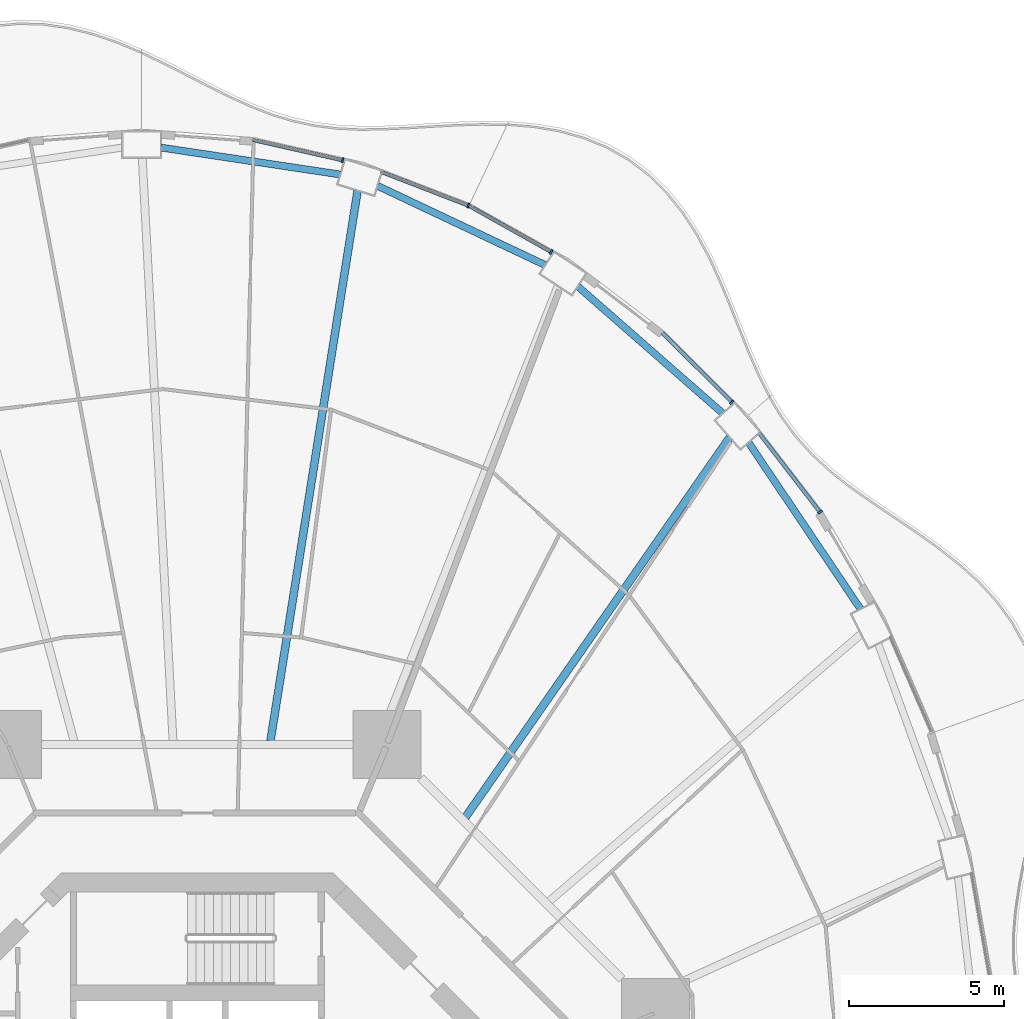
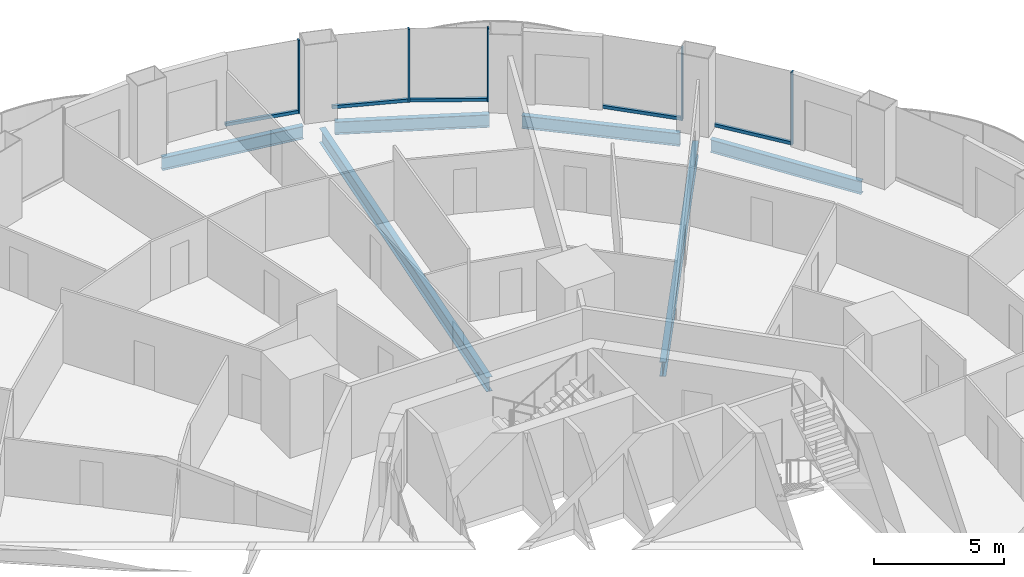
# One storey, part 11 of 22: 10 members, 6 beams, 5 elements without a shape of their own.
"""IFC4 building model written with IfcOpenShell, lengths in metres."""

from ifc_helpers import new_model, si_unit, direction, frame, origin, origin_2d, place, context, subcontext, project, spatial, rectangle, i_section, extrude, material, layer, layer_set, material_profile, profile_set, type_object, element, aggregate, save


model = new_model("IFC4")

# Units and contexts
model_context = context("Model", 3, precision=1e-05, world=origin(), true_north=direction((0.0, 1.0)))
body_context = subcontext(model_context, "Body", "Model", "MODEL_VIEW")
ifc_project = project(units=[si_unit("LENGTHUNIT", "METRE"), si_unit("AREAUNIT", "SQUARE_METRE"), si_unit("VOLUMEUNIT", "CUBIC_METRE"), si_unit("PLANEANGLEUNIT", "RADIAN"), si_unit("MASSUNIT", "GRAM", prefix="KILO")], contexts=[model_context])

# Site, building, storey
site_placement = place(None, origin())
site = spatial("IfcSite", under=ifc_project, at=site_placement, CompositionType="ELEMENT")
building_placement = place(site_placement, origin())
building = spatial("IfcBuilding", under=site, at=building_placement, Name="Nagisa Residences", CompositionType="ELEMENT")
storey_placement = place(building_placement, frame((0.0, 0.0, 106.60009765625)))
storey = spatial("IfcBuildingStorey", under=building, at=storey_placement, Name="L26", CompositionType="ELEMENT", Elevation=106.60009765625)

# Curtain wall, member
ifc_material_1 = material(Name="Concrete-coloured aluminium curtain wall system", Category="concrete")
ifc_layer = layer(ifc_material_1, 0.159912109375)
ifc_layer_set = layer_set([ifc_layer], Name="CW1 CURTAIN WALL")
curtain_wall_type = type_object("IfcCurtainWallType", Name="CW1 CURTAIN WALL", PredefinedType="NOTDEFINED", material=ifc_layer_set)
curtain_wall_1_placement = place(storey_placement, origin())
curtain_wall_1 = element("IfcCurtainWall", 1, at=curtain_wall_1_placement, inside=storey, type_object=curtain_wall_type, Name="cw:CW1:L26:05", PredefinedType="NOTDEFINED")
ifc_material_2 = material(Name="Concrete-coloured aluminium", Category="concrete")
ifc_material_profile_1 = material_profile(ifc_material_2, rectangle(XDim=0.159912109375, YDim=0.06005859375, at=origin_2d()), Name="CW1 MULLION 160x60")
ifc_profile_set_1 = profile_set([ifc_material_profile_1], Name="Concrete-coloured aluminium")
member_type_1 = type_object("IfcMemberType", Name="CW1 MULLION 160x60", PredefinedType="MULLION", material=ifc_profile_set_1)
member_1_placement = place(storey_placement, frame((20.09033203125, 22.27783203125, 0.0), z_axis=(0.0, 0.0, 1.0), x_axis=(-0.792070340816, -0.610429828235, 0.0)))
member_1 = element("IfcMember", 2, at=member_1_placement, type_object=member_type_1, Name="CW1 mullion", PredefinedType="MULLION", context=body_context, shape_type="SweptSolid", body=[
    extrude(rectangle(XDim=0.159912109375, YDim=0.06005859375, at=origin_2d()), origin(), (0.0, 0.0, 1.0), 3.43994140625),
])

curtain_wall_2_placement = place(storey_placement, origin())
curtain_wall_2 = element("IfcCurtainWall", 3, at=curtain_wall_2_placement, inside=storey, type_object=curtain_wall_type, Name="cw:CW1:L26:06", PredefinedType="NOTDEFINED")
member_2_placement = place(storey_placement, frame((17.24560546875, 25.825927734375, 0.0), z_axis=(0.0, 0.0, 1.0), x_axis=(-0.706376885714, -0.707835924016, 0.0)))
member_2 = element("IfcMember", 4, at=member_2_placement, type_object=member_type_1, Name="CW1 mullion", PredefinedType="MULLION", context=body_context, shape_type="SweptSolid", body=[
    extrude(rectangle(XDim=0.159912109375, YDim=0.06005859375, at=origin_2d()), origin(), (0.0, 0.0, 1.0), 3.43994140625),
])

curtain_wall_3_placement = place(storey_placement, origin())
curtain_wall_3 = element("IfcCurtainWall", 5, at=curtain_wall_3_placement, inside=storey, type_object=curtain_wall_type, Name="cw:CW1:L26:08", PredefinedType="NOTDEFINED")
member_3_placement = place(storey_placement, frame((11.415283203125, 30.673583984375, 0.0), z_axis=(0.0, 0.0, 1.0), x_axis=(-0.489376918501, -0.872072377523, 0.0)))
member_3 = element("IfcMember", 6, at=member_3_placement, type_object=member_type_1, Name="CW1 mullion", PredefinedType="MULLION", context=body_context, shape_type="SweptSolid", body=[
    extrude(rectangle(XDim=0.159912109375, YDim=0.06005859375, at=origin_2d()), origin(), (0.0, 0.0, 1.0), 3.43994140625),
])

curtain_wall_4_placement = place(storey_placement, origin())
curtain_wall_4 = element("IfcCurtainWall", 7, at=curtain_wall_4_placement, inside=storey, type_object=curtain_wall_type, Name="cw:CW1:L26:09", PredefinedType="NOTDEFINED")
member_4_placement = place(storey_placement, frame((8.74169921875, 32.169921875, 0.0), z_axis=(0.0, 0.0, 1.0), x_axis=(-0.360327770268, -0.932825759707, 0.0)))
member_4 = element("IfcMember", 8, at=member_4_placement, type_object=member_type_1, Name="CW1 mullion", PredefinedType="MULLION", context=body_context, shape_type="SweptSolid", body=[
    extrude(rectangle(XDim=0.159912109375, YDim=0.06005859375, at=origin_2d()), origin(), (0.0, 0.0, 1.0), 3.43994140625),
])

curtain_wall_5_placement = place(storey_placement, origin())
curtain_wall_5 = element("IfcCurtainWall", 9, at=curtain_wall_5_placement, inside=storey, type_object=curtain_wall_type, Name="cw:CW1:L26:10", PredefinedType="NOTDEFINED")
member_5_placement = place(storey_placement, frame((4.68701171875, 33.630859375, 0.0), z_axis=(0.0, 0.0, 1.0), x_axis=(-0.2207639201, -0.975327274089, 0.0)))
member_5 = element("IfcMember", 10, at=member_5_placement, type_object=member_type_1, Name="CW1 mullion", PredefinedType="MULLION", context=body_context, shape_type="SweptSolid", body=[
    extrude(rectangle(XDim=0.159912109375, YDim=0.06005859375, at=origin_2d()), origin(), (0.0, 0.0, 1.0), 3.43994140625),
])

# Member
ifc_material_3 = material(Name="Concrete-coloured aluminium", Category="concrete")
ifc_material_profile_2 = material_profile(ifc_material_3, rectangle(XDim=0.1201171875, YDim=0.14990234375, at=origin_2d()), Name="CW1 TRANSOM 120x150")
ifc_profile_set_2 = profile_set([ifc_material_profile_2], Name="Concrete-coloured aluminium")
member_type_2 = type_object("IfcMemberType", Name="CW1 TRANSOM 120x150", PredefinedType="USERDEFINED", material=ifc_profile_set_2)
member_6_placement = place(storey_placement, frame((20.108642578125, 22.25390625, 0.074951171875), z_axis=(-0.610458970322, 0.792047880847, 0.0), x_axis=(-0.792047880847, -0.610458970322, 0.0)))
member_6 = element("IfcMember", 11, at=member_6_placement, type_object=member_type_2, Name="CW1 transom", ObjectType="TRANSOM", PredefinedType="USERDEFINED", context=body_context, shape_type="SweptSolid", body=[
    extrude(rectangle(XDim=0.1201171875, YDim=0.14990234375, at=origin_2d()), origin(), (0.0, 0.0, 1.0), 3.262939453125),
])

aggregate(curtain_wall_1, [member_1, member_6])

member_7_placement = place(storey_placement, frame((17.2666015625, 25.8046875, 0.074951171875), z_axis=(-0.707831724839, 0.70638109354, 0.0), x_axis=(-0.70638109354, -0.707831724839, 0.0)))
member_7 = element("IfcMember", 12, at=member_7_placement, type_object=member_type_2, Name="CW1 transom", ObjectType="TRANSOM", PredefinedType="USERDEFINED", context=body_context, shape_type="SweptSolid", body=[
    extrude(rectangle(XDim=0.1201171875, YDim=0.14990234375, at=origin_2d()), origin(), (0.0, 0.0, 1.0), 3.19775390625),
])

aggregate(curtain_wall_2, [member_2, member_7])

member_8_placement = place(storey_placement, frame((11.44140625, 30.65869140625, 0.074951171875), z_axis=(-0.872037280335, 0.489439456631, 0.0), x_axis=(-0.489439456631, -0.872037280335, 0.0)))
member_8 = element("IfcMember", 13, at=member_8_placement, type_object=member_type_2, Name="CW1 transom", ObjectType="TRANSOM", PredefinedType="USERDEFINED", context=body_context, shape_type="SweptSolid", body=[
    extrude(rectangle(XDim=0.1201171875, YDim=0.14990234375, at=origin_2d()), origin(), (0.0, 0.0, 1.0), 3.07568359375),
])

aggregate(curtain_wall_3, [member_3, member_8])

member_9_placement = place(storey_placement, frame((8.76953125, 32.1591796875, 0.074951171875), z_axis=(-0.932827091302, 0.360324322982, 0.0), x_axis=(-0.360324322982, -0.932827091302, 0.0)))
member_9 = element("IfcMember", 14, at=member_9_placement, type_object=member_type_2, Name="CW1 transom", ObjectType="TRANSOM", PredefinedType="USERDEFINED", context=body_context, shape_type="SweptSolid", body=[
    extrude(rectangle(XDim=0.1201171875, YDim=0.14990234375, at=origin_2d()), origin(), (0.0, 0.0, 1.0), 3.02734375),
])

aggregate(curtain_wall_4, [member_4, member_9])

member_10_placement = place(storey_placement, frame((4.71630859375, 33.624267578125, 0.074951171875), z_axis=(-0.975313630467, 0.220824188497, 0.0), x_axis=(-0.220824188497, -0.975313630467, 0.0)))
member_10 = element("IfcMember", 15, at=member_10_placement, type_object=member_type_2, Name="CW1 transom", ObjectType="TRANSOM", PredefinedType="USERDEFINED", context=body_context, shape_type="SweptSolid", body=[
    extrude(rectangle(XDim=0.1201171875, YDim=0.14990234375, at=origin_2d()), origin(), (0.0, 0.0, 1.0), 2.992919921875),
])

aggregate(curtain_wall_5, [member_5, member_10])

# Beams
ifc_material_4 = material(Name="Steel ASTM A572 Gr 50", Category="steel")
ifc_material_profile_3 = material_profile(ifc_material_4, i_section(OverallWidth=0.22802734375, OverallDepth=0.60302734375, WebThickness=0.010498046875, FlangeThickness=0.014892578125, at=origin_2d()), Name="W610x101")
ifc_profile_set_3 = profile_set([ifc_material_profile_3], Name="Steel ASTM A572 Gr 50")
beam_type_1 = type_object("IfcBeamType", Name="Perimeter ring beam W610x101", PredefinedType="BEAM", material=ifc_profile_set_3)
beam_1_placement = place(storey_placement, frame((21.397216796875, 19.152099609375, -0.5615234375), z_axis=(-0.55824704812, 0.829674775599, 0.0), x_axis=(-0.829674775599, -0.55824704812, 0.0)))
element("IfcBeam", 16, at=beam_1_placement, inside=storey, type_object=beam_type_1, Name="beam:L26:pb03", PredefinedType="BEAM", context=body_context, shape_type="SweptSolid", body=[
    extrude(i_section(OverallWidth=0.22802734375, OverallDepth=0.60302734375, WebThickness=0.010498046875, FlangeThickness=0.014892578125, at=origin_2d()), origin(), (0.0, 0.0, 1.0), 6.4716796875),
])
beam_2_placement = place(storey_placement, frame((16.951416015625, 25.46728515625, -0.5615234375), z_axis=(-0.752525569707, 0.658563031863, 0.0), x_axis=(-0.658563031863, -0.752525569707, 0.0)))
element("IfcBeam", 17, at=beam_2_placement, inside=storey, type_object=beam_type_1, Name="beam:L26:pb04", PredefinedType="BEAM", context=body_context, shape_type="SweptSolid", body=[
    extrude(i_section(OverallWidth=0.22802734375, OverallDepth=0.60302734375, WebThickness=0.010498046875, FlangeThickness=0.014892578125, at=origin_2d()), origin(), (0.0, 0.0, 1.0), 6.21240234375),
])
beam_3_placement = place(storey_placement, frame((11.22216796875, 30.249267578125, -0.5615234375), z_axis=(-0.904196975776, 0.427115709144, 0.0), x_axis=(-0.427115709144, -0.904196975776, 0.0)))
element("IfcBeam", 18, at=beam_3_placement, inside=storey, type_object=beam_type_1, Name="beam:L26:pb05", PredefinedType="BEAM", context=body_context, shape_type="SweptSolid", body=[
    extrude(i_section(OverallWidth=0.22802734375, OverallDepth=0.60302734375, WebThickness=0.010498046875, FlangeThickness=0.014892578125, at=origin_2d()), origin(), (0.0, 0.0, 1.0), 5.980712890625),
])
beam_4_placement = place(storey_placement, frame((4.608642578125, 33.17041015625, -0.5615234375), z_axis=(-0.988913048607, 0.148495731568, 0.0), x_axis=(-0.148495731568, -0.988913048607, 0.0)))
element("IfcBeam", 19, at=beam_4_placement, inside=storey, type_object=beam_type_1, Name="beam:L26:pb06", PredefinedType="BEAM", context=body_context, shape_type="SweptSolid", body=[
    extrude(i_section(OverallWidth=0.22802734375, OverallDepth=0.60302734375, WebThickness=0.010498046875, FlangeThickness=0.014892578125, at=origin_2d()), origin(), (0.0, 0.0, 1.0), 5.843017578125),
])
ifc_material_5 = material(Name="Steel ASTM A572 Gr 50", Category="steel")
ifc_material_profile_4 = material_profile(ifc_material_5, i_section(OverallWidth=0.2529296875, OverallDepth=0.677978515625, WebThickness=0.01171875, FlangeThickness=0.016357421875, at=origin_2d()), Name="W690x125")
ifc_profile_set_4 = profile_set([ifc_material_profile_4], Name="Steel ASTM A572 Gr 50")
beam_type_2 = type_object("IfcBeamType", Name="Radial beam W690x125", PredefinedType="BEAM", material=ifc_profile_set_4)
beam_5_placement = place(storey_placement, frame((17.176513671875, 24.6845703125, -0.59912109375), z_axis=(-0.571167903467, -0.820833251062, 0.0), x_axis=(0.820833251062, -0.571167903467, 0.0)))
element("IfcBeam", 20, at=beam_5_placement, inside=storey, type_object=beam_type_2, Name="beam:L26:rb04", PredefinedType="BEAM", context=body_context, shape_type="SweptSolid", body=[
    extrude(i_section(OverallWidth=0.2529296875, OverallDepth=0.677978515625, WebThickness=0.01171875, FlangeThickness=0.016357421875, at=origin_2d()), origin(), (0.0, 0.0, 1.0), 14.93994140625),
])
beam_6_placement = place(storey_placement, frame((5.170654296875, 32.64697265625, -0.59912109375), z_axis=(-0.156426410961, -0.987689616202, 0.0), x_axis=(0.987689616202, -0.156426410961, 0.0)))
element("IfcBeam", 21, at=beam_6_placement, inside=storey, type_object=beam_type_2, Name="beam:L26:rb06", PredefinedType="BEAM", context=body_context, shape_type="SweptSolid", body=[
    extrude(i_section(OverallWidth=0.2529296875, OverallDepth=0.677978515625, WebThickness=0.01171875, FlangeThickness=0.016357421875, at=origin_2d()), origin(), (0.0, 0.0, 1.0), 17.973388671875),
])

save(model, "model.ifc")
